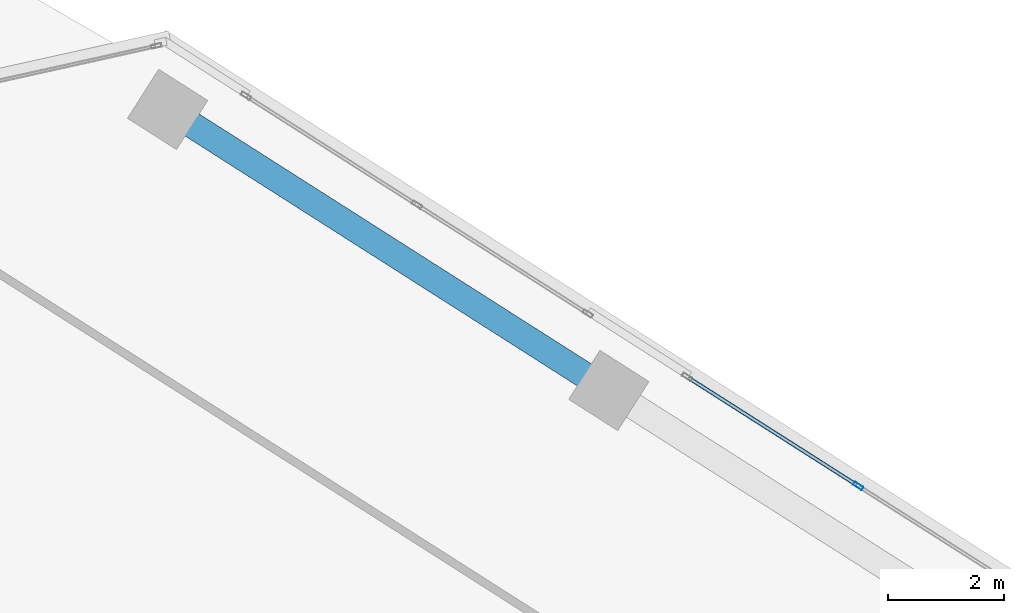
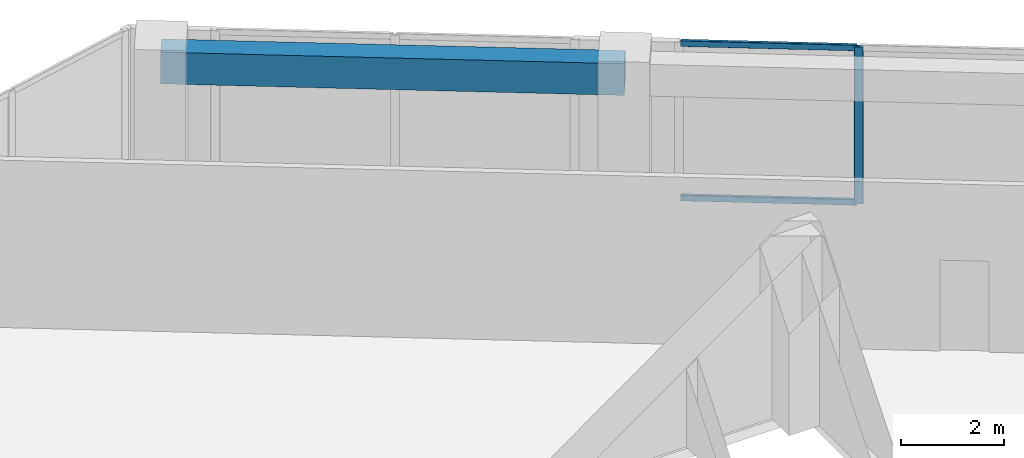
# One storey, part 14 of 23: 3 members, 1 beam, 1 element without a shape of its own.
"""IFC4 building model written with IfcOpenShell, lengths in metres."""

from ifc_helpers import new_model, si_unit, direction, frame, origin, origin_2d, place, context, subcontext, project, spatial, rectangle, hollow_rectangle, extrude, source, transform, mapped, material, material_profile, profile_set, type_object, element, aggregate, save


model = new_model("IFC4")

# Units and contexts
model_context = context("Model", 3, precision=1e-05, world=origin(), true_north=direction((0.0, 1.0)))
body_context = subcontext(model_context, "Body", "Model", "MODEL_VIEW")
ifc_project = project(units=[si_unit("LENGTHUNIT", "METRE"), si_unit("AREAUNIT", "SQUARE_METRE"), si_unit("VOLUMEUNIT", "CUBIC_METRE"), si_unit("PLANEANGLEUNIT", "RADIAN"), si_unit("MASSUNIT", "GRAM", prefix="KILO")], contexts=[model_context])

# Site, building, storey
site_placement = place(None, origin())
site = spatial("IfcSite", under=ifc_project, at=site_placement, CompositionType="ELEMENT")
building_placement = place(site_placement, origin())
building = spatial("IfcBuilding", under=site, at=building_placement, Name="Torre Montelarca", CompositionType="ELEMENT")
storey_placement = place(building_placement, frame((0.0, 0.0, 187.60009765625)))
storey = spatial("IfcBuildingStorey", under=building, at=storey_placement, Name="L42", CompositionType="ELEMENT", Elevation=187.60009765625)

# Beam
ifc_material_1 = material(Name="Concrete C55/67", Category="concrete")
ifc_material_profile_1 = material_profile(ifc_material_1, rectangle(XDim=0.449951171875, YDim=0.75, at=origin_2d()), Name="RCB450X750", Category="concrete")
ifc_profile_set_1 = profile_set([ifc_material_profile_1], Name="Concrete C55/67")
beam_type = type_object("IfcBeamType", Name="BM-SP-RC750-EXT", PredefinedType="SPANDREL", material=ifc_profile_set_1)
shared_shape_1 = source(origin(), body_context, "Body", "SweptSolid", [
    extrude(rectangle(XDim=0.449951171875, YDim=0.75, at=origin_2d()), origin(), (0.0, 0.0, 1.0), 9.0),
])
beam_placement = place(storey_placement, frame((19.09765625, 51.49365234375, 3.5849609375), z_axis=(0.843393307865, -0.5372966855, 0.0), x_axis=(0.5372966855, 0.843393307865, 0.0)))
element("IfcBeam", 1, at=beam_placement, inside=storey, type_object=beam_type, Name="L42 Grid Girder X 9.0-18.0 at Y=47.1", PredefinedType="SPANDREL", context=body_context, shape_type="MappedRepresentation", body=[
    mapped(shared_shape_1, transform((0.0, 0.0, 0.0), scale=1.0)),
])

# Curtain wall, members
ifc_material_2 = material(Name="Insulated low-E laminated glass", Category="glass")
curtain_wall_type = type_object("IfcCurtainWallType", Name="CW-SYS-Z2", PredefinedType="USERDEFINED", material=ifc_material_2)
curtain_wall_placement = place(storey_placement, origin())
curtain_wall = element("IfcCurtainWall", 2, at=curtain_wall_placement, inside=storey, type_object=curtain_wall_type, Name="L42 Curtain Wall Run CW-T3-L42-E08-B3", ObjectType="UNITISED GLAZING", PredefinedType="USERDEFINED")
ifc_material_3 = material(Name="Anodised aluminium AA 6063-T6", Category="aluminium")
ifc_material_profile_2 = material_profile(ifc_material_3, hollow_rectangle(XDim=0.06494140625, YDim=0.179931640625, WallThickness=0.00390625, InnerFilletRadius=0.00390625, OuterFilletRadius=0.008056640625, at=origin_2d()), Name="ALU65X180X4", Category="aluminium")
ifc_profile_set_2 = profile_set([ifc_material_profile_2], Name="Anodised aluminium AA 6063-T6")
member_type_1 = type_object("IfcMemberType", Name="CWM-ALU180", PredefinedType="MULLION", material=ifc_profile_set_2)
shared_shape_2 = source(origin(), body_context, "Body", "SweptSolid", [
    extrude(hollow_rectangle(XDim=0.06494140625, YDim=0.179931640625, WallThickness=0.00390625, InnerFilletRadius=0.00390625, OuterFilletRadius=0.008056640625, at=origin_2d()), origin(), (0.0, 0.0, 1.0), 3.719970703125),
])
member_1_placement = place(storey_placement, frame((30.977783203125, 45.01611328125, 0.0), z_axis=(0.0, 0.0, 1.0), x_axis=(-0.537305573022, -0.843387645866, 0.0)))
member_1 = element("IfcMember", 3, at=member_1_placement, type_object=member_type_1, Name="CW mullion 2", PredefinedType="MULLION", context=body_context, shape_type="MappedRepresentation", body=[
    mapped(shared_shape_2, transform((0.0, 0.0, 0.0), scale=1.0)),
])
ifc_material_profile_3 = material_profile(ifc_material_3, hollow_rectangle(XDim=0.06494140625, YDim=0.139892578125, WallThickness=0.00390625, InnerFilletRadius=0.00390625, OuterFilletRadius=0.008056640625, at=origin_2d()), Name="ALU65X140X4", Category="aluminium")
ifc_profile_set_3 = profile_set([ifc_material_profile_3], Name="Anodised aluminium AA 6063-T6")
member_type_2 = type_object("IfcMemberType", Name="CWT-ALU140", PredefinedType="USERDEFINED", material=ifc_profile_set_3)
shared_shape_3 = source(origin(), body_context, "Body", "SweptSolid", [
    extrude(hollow_rectangle(XDim=0.06494140625, YDim=0.139892578125, WallThickness=0.00390625, InnerFilletRadius=0.00390625, OuterFilletRadius=0.008056640625, at=origin_2d()), origin(), (0.0, 0.0, 1.0), 3.42236328125),
])
member_2_placement = place(storey_placement, frame((30.950439453125, 45.033447265625, 0.032470703125), z_axis=(-0.843394086607, 0.537295463108, 0.0), x_axis=(-0.537295463108, -0.843394086607, 0.0)))
member_2 = element("IfcMember", 4, at=member_2_placement, type_object=member_type_2, Name="CW transom 2.1", ObjectType="TRANSOM", PredefinedType="USERDEFINED", context=body_context, shape_type="MappedRepresentation", body=[
    mapped(shared_shape_3, transform((0.0, 0.0, 0.0), scale=1.0)),
])
member_3_placement = place(storey_placement, frame((30.950439453125, 45.033447265625, 3.6875), z_axis=(-0.843394086607, 0.537295463108, 0.0), x_axis=(-0.537295463108, -0.843394086607, 0.0)))
member_3 = element("IfcMember", 5, at=member_3_placement, type_object=member_type_2, Name="CW transom 2.2", ObjectType="TRANSOM", PredefinedType="USERDEFINED", context=body_context, shape_type="MappedRepresentation", body=[
    mapped(shared_shape_3, transform((0.0, 0.0, 0.0), scale=1.0)),
])
aggregate(curtain_wall, [member_1, member_2, member_3])

save(model, "model.ifc")
